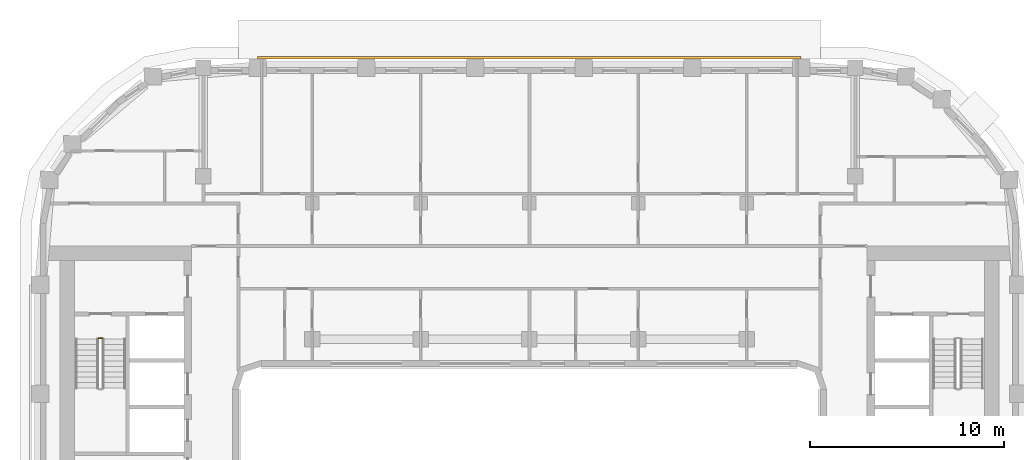
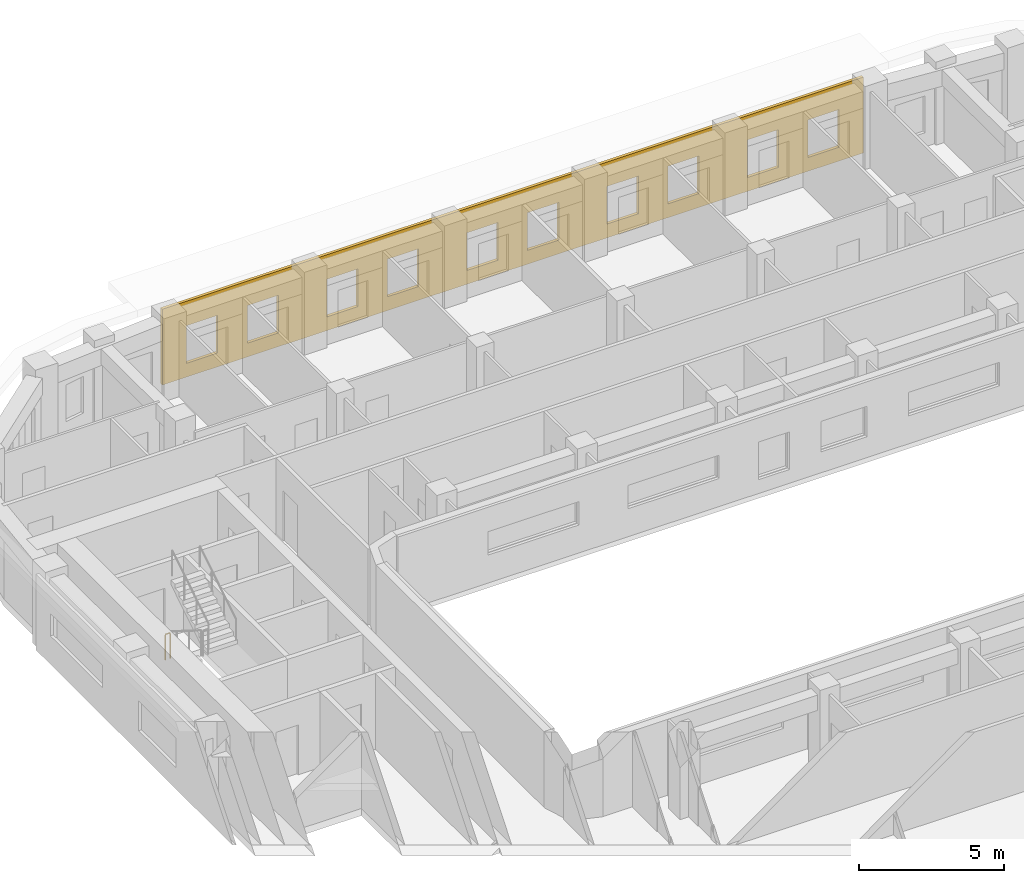
# One storey, part 18 of 20: 1 covering, 1 railing.
"""IFC4 building model written with IfcOpenShell, lengths in metres."""

from ifc_helpers import new_model, si_unit, direction, frame, origin, origin_2d, place, context, subcontext, project, spatial, polyline, circle, outline, extrude, material, layer, layer_set, type_object, element, save


model = new_model("IFC4")

# Units and contexts
model_context = context("Model", 3, precision=1e-05, world=origin(), true_north=direction((0.0, 1.0)))
body_context = subcontext(model_context, "Body", "Model", "MODEL_VIEW")
ifc_project = project(units=[si_unit("LENGTHUNIT", "METRE"), si_unit("AREAUNIT", "SQUARE_METRE"), si_unit("VOLUMEUNIT", "CUBIC_METRE"), si_unit("PLANEANGLEUNIT", "RADIAN"), si_unit("MASSUNIT", "GRAM", prefix="KILO")], contexts=[model_context])

# Site, building, storey
site_placement = place(None, origin())
site = spatial("IfcSite", under=ifc_project, at=site_placement, CompositionType="ELEMENT")
building_placement = place(site_placement, origin())
building = spatial("IfcBuilding", under=site, at=building_placement, Name="Kiln Ring Residences", CompositionType="ELEMENT")
storey_placement = place(building_placement, frame((0.0, 0.0, 206.39990234375)))
storey = spatial("IfcBuildingStorey", under=building, at=storey_placement, Name="L53", CompositionType="ELEMENT", Elevation=206.39990234375)

# Railing
ifc_material_1 = material(Name="Stainless steel", Category="steel")
railing_type = type_object("IfcRailingType", Name="CORE-STAIR-GUARD", PredefinedType="GUARDRAIL", material=ifc_material_1)
railing_placement = place(storey_placement, frame((-22.199951171875, 8.449951171875, 0.0)))
element("IfcRailing", 1, at=railing_placement, inside=storey, type_object=railing_type, Name="L53 W-STN stair guard 4", PredefinedType="GUARDRAIL", context=body_context, shape_type="SweptSolid", body=[
    extrude(circle(Radius=0.02392578125, at=origin_2d()), frame((0.0, 0.0, 1.076171875), z_axis=(1.0, 0.0, 0.0), x_axis=(0.0, 1.0, 0.0)), (0.0, 0.0, 1.0), 0.199951171875),
    extrude(circle(Radius=0.02099609375, at=origin_2d()), origin(), (0.0, 0.0, 1.0), 1.052001953125),
    extrude(circle(Radius=0.02099609375, at=origin_2d()), frame((0.199951171875, 0.0, 0.0)), (0.0, 0.0, 1.0), 1.052001953125),
])

# Covering
ifc_material_2 = material(Name="Brick masonry, dark clay brick", Category="masonry")
ifc_layer = layer(ifc_material_2, 0.1201171875)
ifc_layer_set = layer_set([ifc_layer], Name="RAINSCREEN PANEL 120")
covering_type = type_object("IfcCoveringType", Name="RAINSCREEN PANEL 120", PredefinedType="CLADDING", material=ifc_layer_set)
covering_placement = place(storey_placement, frame((14.0, 22.909912109375, 0.0), z_axis=(0.0, 0.0, 1.0), x_axis=(-1.0, 0.0, 0.0)))
element("IfcCovering", 2, at=covering_placement, inside=storey, type_object=covering_type, Name="RAINSCREEN L53", PredefinedType="CLADDING", context=body_context, shape_type="SweptSolid", body=[
    extrude(outline(polyline([(0.0, 0.0), (28.0, 0.0), (28.0, 3.2001953125), (0.0, 3.2001953125), (0.0, 0.0)]), holes=[polyline([(0.967529296875, 0.580078125), (2.20751953125, 0.580078125), (2.20751953125, 2.170166015625), (0.967529296875, 2.170166015625), (0.967529296875, 0.580078125)]), polyline([(3.392578125, 0.580078125), (4.632568359375, 0.580078125), (4.632568359375, 2.170166015625), (3.392578125, 2.170166015625), (3.392578125, 0.580078125)]), polyline([(6.5673828125, 0.580078125), (7.8076171875, 0.580078125), (7.8076171875, 2.170166015625), (6.5673828125, 2.170166015625), (6.5673828125, 0.580078125)]), polyline([(8.992431640625, 2.170166015625), (8.992431640625, 0.580078125), (10.232421875, 0.580078125), (10.232421875, 2.170166015625), (8.992431640625, 2.170166015625)]), polyline([(12.16748046875, 2.170166015625), (12.16748046875, 0.580078125), (13.407470703125, 0.580078125), (13.407470703125, 2.170166015625), (12.16748046875, 2.170166015625)]), polyline([(14.592529296875, 0.580078125), (15.83251953125, 0.580078125), (15.83251953125, 2.170166015625), (14.592529296875, 2.170166015625), (14.592529296875, 0.580078125)]), polyline([(17.767578125, 0.580078125), (19.007568359375, 0.580078125), (19.007568359375, 2.170166015625), (17.767578125, 2.170166015625), (17.767578125, 0.580078125)]), polyline([(20.1923828125, 0.580078125), (21.4326171875, 0.580078125), (21.4326171875, 2.170166015625), (20.1923828125, 2.170166015625), (20.1923828125, 0.580078125)]), polyline([(23.367431640625, 2.170166015625), (23.367431640625, 0.580078125), (24.607421875, 0.580078125), (24.607421875, 2.170166015625), (23.367431640625, 2.170166015625)]), polyline([(25.79248046875, 2.170166015625), (25.79248046875, 0.580078125), (27.032470703125, 0.580078125), (27.032470703125, 2.170166015625), (25.79248046875, 2.170166015625)])]), frame((0.0, 0.06005859375, 0.0), z_axis=(0.0, -1.0, 0.0), x_axis=(1.0, 0.0, 0.0)), (0.0, 0.0, 1.0), 0.1201171875),
])

save(model, "model.ifc")
